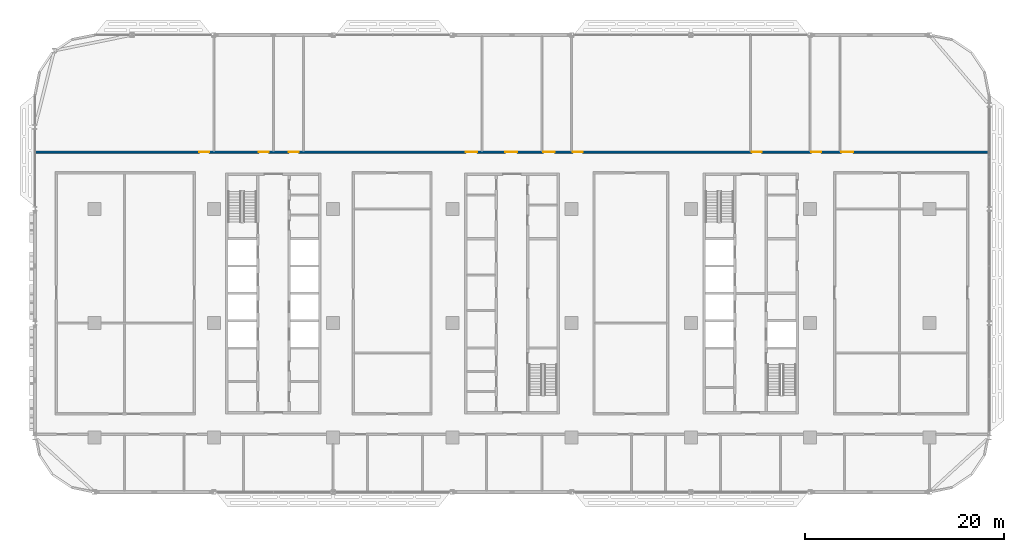
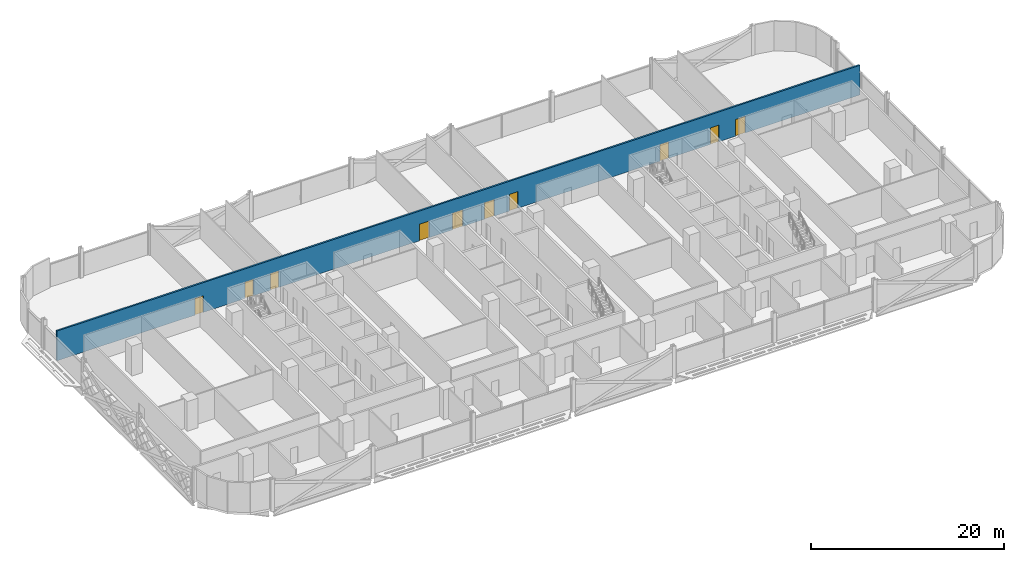
# One storey, part 16 of 29: 10 doors, 1 wall, 10 openings.
"""IFC4 building model written with IfcOpenShell, lengths in metres."""

from ifc_helpers import new_model, si_unit, direction, frame, frame_2d, origin, place, context, subcontext, project, spatial, rectangle, extrude, material, layer, layer_set, type_object, element, fill, save


model = new_model("IFC4")

# Units and contexts
model_context = context("Model", 3, precision=1e-05, world=origin(), true_north=direction((0.0, 1.0)))
body_context = subcontext(model_context, "Body", "Model", "MODEL_VIEW")
ifc_project = project(units=[si_unit("LENGTHUNIT", "METRE"), si_unit("AREAUNIT", "SQUARE_METRE"), si_unit("VOLUMEUNIT", "CUBIC_METRE"), si_unit("PLANEANGLEUNIT", "RADIAN"), si_unit("MASSUNIT", "GRAM", prefix="KILO")], contexts=[model_context])

# Site, building, storey
site_placement = place(None, origin())
site = spatial("IfcSite", under=ifc_project, at=site_placement, CompositionType="ELEMENT")
building_placement = place(site_placement, origin())
building = spatial("IfcBuilding", under=site, at=building_placement, Name="Mahtab Terrace Research Tower", CompositionType="ELEMENT")
storey_placement = place(building_placement, frame((0.0, 0.0, 146.60009765625)))
storey = spatial("IfcBuildingStorey", under=building, at=storey_placement, Name="L34", CompositionType="ELEMENT", Elevation=146.60009765625)

# Wall, openings, doors
ifc_material_1 = material(Name="Gypsum board corridor wall on steel studs", Category="steel")
ifc_layer = layer(ifc_material_1, 0.199951171875)
ifc_layer_set = layer_set([ifc_layer], Name="WALL CORRIDOR 200")
wall_type = type_object("IfcWallType", Name="WALL CORRIDOR 200", PredefinedType="PARTITIONING", material=ifc_layer_set)
wall_placement = place(storey_placement, frame((-47.97509765625, 17.199951171875, 0.0), z_axis=(0.0, 0.0, 1.0), x_axis=(1.0, 0.0, 0.0)))
wall = element("IfcWall", 1, at=wall_placement, inside=storey, type_object=wall_type, Name="L34-W026", PredefinedType="PARTITIONING", context=body_context, shape_type="SweptSolid", body=[
    extrude(rectangle(XDim=95.9501953125, YDim=0.199951171875, at=frame_2d((47.97509765625, 0.0))), origin(), (0.0, 0.0, 1.0), 3.760009765625),
])
opening_1_placement = place(wall_placement, frame((16.5, 0.0, 0.0)))
opening_1 = element("IfcOpeningElement", 2, at=opening_1_placement, cuts=wall, Name="Opening L34-131", PredefinedType="OPENING", context=body_context, shape_type="SweptSolid", body=[
    extrude(rectangle(XDim=1.0, YDim=2.10009765625, at=frame_2d((0.5, 1.050048828125))), frame((0.0, 0.10986328125, 0.0), z_axis=(0.0, -1.0, 0.0), x_axis=(1.0, 0.0, 0.0)), (0.0, 0.0, 1.0), 0.219970703125),
])
opening_2_placement = place(wall_placement, frame((22.5, 0.0, 0.0)))
opening_2 = element("IfcOpeningElement", 3, at=opening_2_placement, cuts=wall, Name="Opening L34-132", PredefinedType="OPENING", context=body_context, shape_type="SweptSolid", body=[
    extrude(rectangle(XDim=1.0, YDim=2.10009765625, at=frame_2d((0.5, 1.050048828125))), frame((0.0, 0.10986328125, 0.0), z_axis=(0.0, -1.0, 0.0), x_axis=(1.0, 0.0, 0.0)), (0.0, 0.0, 1.0), 0.219970703125),
])
opening_3_placement = place(wall_placement, frame((25.5, 0.0, 0.0)))
opening_3 = element("IfcOpeningElement", 4, at=opening_3_placement, cuts=wall, Name="Opening L34-133", PredefinedType="OPENING", context=body_context, shape_type="SweptSolid", body=[
    extrude(rectangle(XDim=1.0, YDim=2.10009765625, at=frame_2d((0.5, 1.050048828125))), frame((0.0, 0.10986328125, 0.0), z_axis=(0.0, -1.0, 0.0), x_axis=(1.0, 0.0, 0.0)), (0.0, 0.0, 1.0), 0.219970703125),
])
opening_4_placement = place(wall_placement, frame((43.300048828125, 0.0, 0.0)))
opening_4 = element("IfcOpeningElement", 5, at=opening_4_placement, cuts=wall, Name="Opening L34-134", PredefinedType="OPENING", context=body_context, shape_type="SweptSolid", body=[
    extrude(rectangle(XDim=1.199951171875, YDim=2.10009765625, at=frame_2d((0.60009765625, 1.050048828125))), frame((0.0, 0.10986328125, 0.0), z_axis=(0.0, -1.0, 0.0), x_axis=(1.0, 0.0, 0.0)), (0.0, 0.0, 1.0), 0.219970703125),
])
opening_5_placement = place(wall_placement, frame((47.300048828125, 0.0, 0.0)))
opening_5 = element("IfcOpeningElement", 6, at=opening_5_placement, cuts=wall, Name="Opening L34-135", PredefinedType="OPENING", context=body_context, shape_type="SweptSolid", body=[
    extrude(rectangle(XDim=1.199951171875, YDim=2.10009765625, at=frame_2d((0.60009765625, 1.050048828125))), frame((0.0, 0.10986328125, 0.0), z_axis=(0.0, -1.0, 0.0), x_axis=(1.0, 0.0, 0.0)), (0.0, 0.0, 1.0), 0.219970703125),
])
opening_6_placement = place(wall_placement, frame((51.10009765625, 0.0, 0.0)))
opening_6 = element("IfcOpeningElement", 7, at=opening_6_placement, cuts=wall, Name="Opening L34-136", PredefinedType="OPENING", context=body_context, shape_type="SweptSolid", body=[
    extrude(rectangle(XDim=1.199951171875, YDim=2.10009765625, at=frame_2d((0.60009765625, 1.050048828125))), frame((0.0, 0.10986328125, 0.0), z_axis=(0.0, -1.0, 0.0), x_axis=(1.0, 0.0, 0.0)), (0.0, 0.0, 1.0), 0.219970703125),
])
opening_7_placement = place(wall_placement, frame((54.10009765625, 0.0, 0.0)))
opening_7 = element("IfcOpeningElement", 8, at=opening_7_placement, cuts=wall, Name="Opening L34-137", PredefinedType="OPENING", context=body_context, shape_type="SweptSolid", body=[
    extrude(rectangle(XDim=1.0, YDim=2.10009765625, at=frame_2d((0.5, 1.050048828125))), frame((0.0, 0.10986328125, 0.0), z_axis=(0.0, -1.0, 0.0), x_axis=(1.0, 0.0, 0.0)), (0.0, 0.0, 1.0), 0.219970703125),
])
opening_8_placement = place(wall_placement, frame((72.10009765625, 0.0, 0.0)))
opening_8 = element("IfcOpeningElement", 9, at=opening_8_placement, cuts=wall, Name="Opening L34-138", PredefinedType="OPENING", context=body_context, shape_type="SweptSolid", body=[
    extrude(rectangle(XDim=1.0, YDim=2.10009765625, at=frame_2d((0.5, 1.050048828125))), frame((0.0, 0.10986328125, 0.0), z_axis=(0.0, -1.0, 0.0), x_axis=(1.0, 0.0, 0.0)), (0.0, 0.0, 1.0), 0.219970703125),
])
opening_9_placement = place(wall_placement, frame((78.10009765625, 0.0, 0.0)))
opening_9 = element("IfcOpeningElement", 10, at=opening_9_placement, cuts=wall, Name="Opening L34-139", PredefinedType="OPENING", context=body_context, shape_type="SweptSolid", body=[
    extrude(rectangle(XDim=1.0, YDim=2.10009765625, at=frame_2d((0.5, 1.050048828125))), frame((0.0, 0.10986328125, 0.0), z_axis=(0.0, -1.0, 0.0), x_axis=(1.0, 0.0, 0.0)), (0.0, 0.0, 1.0), 0.219970703125),
])
opening_10_placement = place(wall_placement, frame((81.10009765625, 0.0, 0.0)))
opening_10 = element("IfcOpeningElement", 11, at=opening_10_placement, cuts=wall, Name="Opening L34-140", PredefinedType="OPENING", context=body_context, shape_type="SweptSolid", body=[
    extrude(rectangle(XDim=1.199951171875, YDim=2.10009765625, at=frame_2d((0.60009765625, 1.050048828125))), frame((0.0, 0.10986328125, 0.0), z_axis=(0.0, -1.0, 0.0), x_axis=(1.0, 0.0, 0.0)), (0.0, 0.0, 1.0), 0.219970703125),
])
ifc_material_2 = material(Name="Timber door leaf in steel frame", Category="steel")
door_type_1 = type_object("IfcDoorType", Name="DOOR 1000X2100 FD30S", OperationType="SINGLE_SWING_LEFT", PredefinedType="DOOR", material=ifc_material_2)
door_1_placement = place(opening_1_placement, origin())
door_1 = element("IfcDoor", 12, at=door_1_placement, inside=storey, type_object=door_type_1, Name="Door L34-131", OperationType="SINGLE_SWING_LEFT", OverallHeight=2.10009765625, OverallWidth=1.0, PredefinedType="DOOR", context=body_context, shape_type="SweptSolid", body=[
    extrude(rectangle(XDim=1.0, YDim=2.10009765625, at=frame_2d((0.5, 1.050048828125))), frame((0.0, 0.02490234375, 0.0), z_axis=(0.0, -1.0, 0.0), x_axis=(1.0, 0.0, 0.0)), (0.0, 0.0, 1.0), 0.050048828125),
])
fill(opening_1, door_1)
door_2_placement = place(opening_2_placement, origin())
door_2 = element("IfcDoor", 13, at=door_2_placement, inside=storey, type_object=door_type_1, Name="Door L34-132", OperationType="SINGLE_SWING_LEFT", OverallHeight=2.10009765625, OverallWidth=1.0, PredefinedType="DOOR", context=body_context, shape_type="SweptSolid", body=[
    extrude(rectangle(XDim=1.0, YDim=2.10009765625, at=frame_2d((0.5, 1.050048828125))), frame((0.0, 0.02490234375, 0.0), z_axis=(0.0, -1.0, 0.0), x_axis=(1.0, 0.0, 0.0)), (0.0, 0.0, 1.0), 0.050048828125),
])
fill(opening_2, door_2)
door_3_placement = place(opening_3_placement, origin())
door_3 = element("IfcDoor", 14, at=door_3_placement, inside=storey, type_object=door_type_1, Name="Door L34-133", OperationType="SINGLE_SWING_LEFT", OverallHeight=2.10009765625, OverallWidth=1.0, PredefinedType="DOOR", context=body_context, shape_type="SweptSolid", body=[
    extrude(rectangle(XDim=1.0, YDim=2.10009765625, at=frame_2d((0.5, 1.050048828125))), frame((0.0, 0.02490234375, 0.0), z_axis=(0.0, -1.0, 0.0), x_axis=(1.0, 0.0, 0.0)), (0.0, 0.0, 1.0), 0.050048828125),
])
fill(opening_3, door_3)
door_4_placement = place(opening_7_placement, origin())
door_4 = element("IfcDoor", 15, at=door_4_placement, inside=storey, type_object=door_type_1, Name="Door L34-137", OperationType="SINGLE_SWING_RIGHT", OverallHeight=2.10009765625, OverallWidth=1.0, PredefinedType="DOOR", context=body_context, shape_type="SweptSolid", body=[
    extrude(rectangle(XDim=1.0, YDim=2.10009765625, at=frame_2d((0.5, 1.050048828125))), frame((0.0, 0.02490234375, 0.0), z_axis=(0.0, -1.0, 0.0), x_axis=(1.0, 0.0, 0.0)), (0.0, 0.0, 1.0), 0.050048828125),
])
fill(opening_7, door_4)
door_5_placement = place(opening_8_placement, origin())
door_5 = element("IfcDoor", 16, at=door_5_placement, inside=storey, type_object=door_type_1, Name="Door L34-138", OperationType="SINGLE_SWING_RIGHT", OverallHeight=2.10009765625, OverallWidth=1.0, PredefinedType="DOOR", context=body_context, shape_type="SweptSolid", body=[
    extrude(rectangle(XDim=1.0, YDim=2.10009765625, at=frame_2d((0.5, 1.050048828125))), frame((0.0, 0.02490234375, 0.0), z_axis=(0.0, -1.0, 0.0), x_axis=(1.0, 0.0, 0.0)), (0.0, 0.0, 1.0), 0.050048828125),
])
fill(opening_8, door_5)
door_6_placement = place(opening_9_placement, origin())
door_6 = element("IfcDoor", 17, at=door_6_placement, inside=storey, type_object=door_type_1, Name="Door L34-139", OperationType="SINGLE_SWING_RIGHT", OverallHeight=2.10009765625, OverallWidth=1.0, PredefinedType="DOOR", context=body_context, shape_type="SweptSolid", body=[
    extrude(rectangle(XDim=1.0, YDim=2.10009765625, at=frame_2d((0.5, 1.050048828125))), frame((0.0, 0.02490234375, 0.0), z_axis=(0.0, -1.0, 0.0), x_axis=(1.0, 0.0, 0.0)), (0.0, 0.0, 1.0), 0.050048828125),
])
fill(opening_9, door_6)
door_type_2 = type_object("IfcDoorType", Name="DOOR 1200X2100 FD30S", OperationType="SINGLE_SWING_LEFT", PredefinedType="DOOR", material=ifc_material_2)
door_7_placement = place(opening_4_placement, origin())
door_7 = element("IfcDoor", 18, at=door_7_placement, inside=storey, type_object=door_type_2, Name="Door L34-134", OperationType="SINGLE_SWING_LEFT", OverallHeight=2.10009765625, OverallWidth=1.199951171875, PredefinedType="DOOR", context=body_context, shape_type="SweptSolid", body=[
    extrude(rectangle(XDim=1.199951171875, YDim=2.10009765625, at=frame_2d((0.60009765625, 1.050048828125))), frame((0.0, 0.02490234375, 0.0), z_axis=(0.0, -1.0, 0.0), x_axis=(1.0, 0.0, 0.0)), (0.0, 0.0, 1.0), 0.050048828125),
])
fill(opening_4, door_7)
door_8_placement = place(opening_5_placement, origin())
door_8 = element("IfcDoor", 19, at=door_8_placement, inside=storey, type_object=door_type_2, Name="Door L34-135", OperationType="SINGLE_SWING_RIGHT", OverallHeight=2.10009765625, OverallWidth=1.199951171875, PredefinedType="DOOR", context=body_context, shape_type="SweptSolid", body=[
    extrude(rectangle(XDim=1.199951171875, YDim=2.10009765625, at=frame_2d((0.60009765625, 1.050048828125))), frame((0.0, 0.02490234375, 0.0), z_axis=(0.0, -1.0, 0.0), x_axis=(1.0, 0.0, 0.0)), (0.0, 0.0, 1.0), 0.050048828125),
])
fill(opening_5, door_8)
door_9_placement = place(opening_6_placement, origin())
door_9 = element("IfcDoor", 20, at=door_9_placement, inside=storey, type_object=door_type_2, Name="Door L34-136", OperationType="SINGLE_SWING_RIGHT", OverallHeight=2.10009765625, OverallWidth=1.199951171875, PredefinedType="DOOR", context=body_context, shape_type="SweptSolid", body=[
    extrude(rectangle(XDim=1.199951171875, YDim=2.10009765625, at=frame_2d((0.60009765625, 1.050048828125))), frame((0.0, 0.02490234375, 0.0), z_axis=(0.0, -1.0, 0.0), x_axis=(1.0, 0.0, 0.0)), (0.0, 0.0, 1.0), 0.050048828125),
])
fill(opening_6, door_9)
door_10_placement = place(opening_10_placement, origin())
door_10 = element("IfcDoor", 21, at=door_10_placement, inside=storey, type_object=door_type_2, Name="Door L34-140", OperationType="SINGLE_SWING_RIGHT", OverallHeight=2.10009765625, OverallWidth=1.199951171875, PredefinedType="DOOR", context=body_context, shape_type="SweptSolid", body=[
    extrude(rectangle(XDim=1.199951171875, YDim=2.10009765625, at=frame_2d((0.60009765625, 1.050048828125))), frame((0.0, 0.02490234375, 0.0), z_axis=(0.0, -1.0, 0.0), x_axis=(1.0, 0.0, 0.0)), (0.0, 0.0, 1.0), 0.050048828125),
])
fill(opening_10, door_10)

save(model, "model.ifc")
